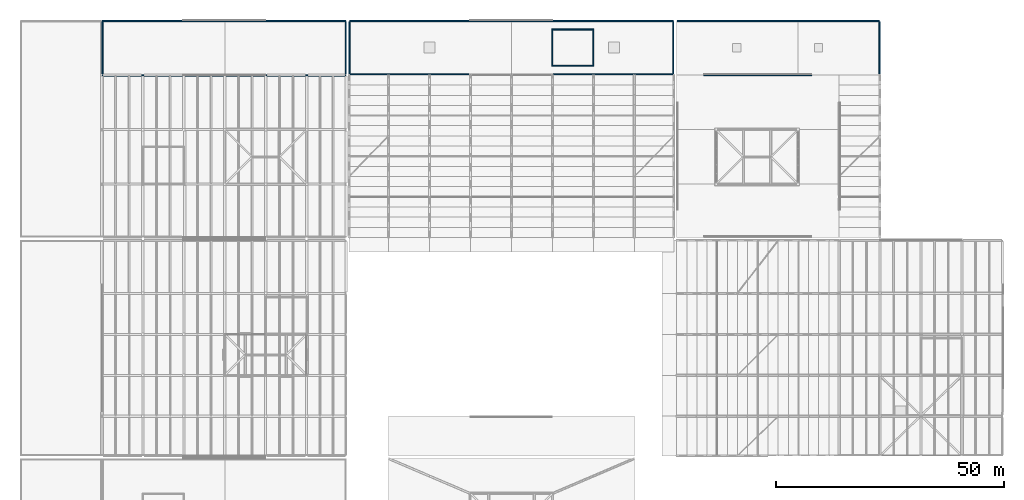
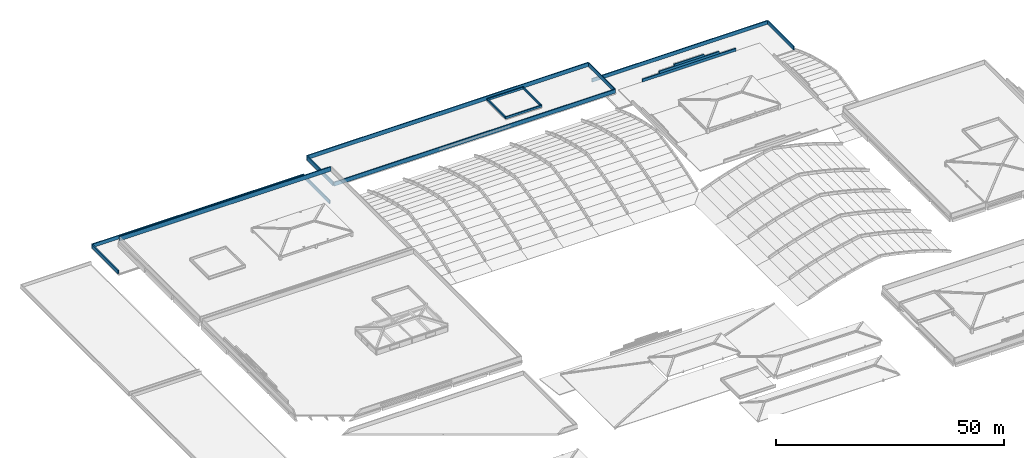
# One storey, part 55 of 56: 17 walls.
"""IFC4 building model written with IfcOpenShell, lengths in metres."""

import ifcopenshell
import ifcopenshell.guid

model = None  # the IFC model being written
_history = None  # IfcOwnerHistory: only IFC2X3 demands one
_inside = {}  # id of a spatial element -> (the spatial element, [elements in it])
_under = {}  # id of a project, library or spatial element -> (it, [spatial elements below it])
_declared = {}  # id of a project -> (the project, [libraries it declares])
_typed = {}  # id of a type object -> (the type object, [elements of that type])
_made_of = {}  # id of a material, layer set ... -> (it, [elements and type objects made of it])


def new_model(schema):
    """Start an empty IFC model of exactly this schema.

    Asked for "IFC4X3", IfcOpenShell would pick the latest addendum, in which some entities
    have other attributes; the version numbers below select the first issue.
    IFC2X3 requires an IfcOwnerHistory on every rooted entity: one is made here for all.
    """
    global model, _history
    if schema == "IFC4X3":
        model = ifcopenshell.file(schema_version=(4, 3, 0, 0))
    else:
        model = ifcopenshell.file(schema=schema)
    _inside.clear()
    _under.clear()
    _declared.clear()
    _typed.clear()
    _made_of.clear()
    _history = None
    if model.schema == "IFC2X3":
        org = make("IfcOrganization", Name="unknown")
        user = make(
            "IfcPersonAndOrganization",
            ThePerson=make("IfcPerson", FamilyName="unknown"),
            TheOrganization=org,
        )
        app = make(
            "IfcApplication",
            ApplicationDeveloper=org,
            Version="unknown",
            ApplicationFullName="unknown",
            ApplicationIdentifier="unknown",
        )
        _history = make(
            "IfcOwnerHistory",
            OwningUser=user,
            OwningApplication=app,
            ChangeAction="ADDED",
            CreationDate=0,
        )
    return model


def make(cls, **values):
    """One entity of the class cls with the attributes given. An attribute that is None is left unset."""
    return model.create_entity(
        cls, **{name: value for name, value in values.items() if value is not None}
    )


def rooted(cls, **values):
    """An entity with a GlobalId (a new one), such as an element, a storey or a relation."""
    return make(cls, GlobalId=ifcopenshell.guid.new(), OwnerHistory=_history, **values)


def si_unit(unit_type, name, prefix=None):
    """IfcSIUnit, for example si_unit("LENGTHUNIT", "METRE", prefix="MILLI")."""
    return make("IfcSIUnit", UnitType=unit_type, Prefix=prefix, Name=name)


def assignment(units):
    """IfcUnitAssignment: the units of a project."""
    return None if units is None else make("IfcUnitAssignment", Units=units)


def point(xyz):
    """IfcCartesianPoint."""
    return None if xyz is None else make("IfcCartesianPoint", Coordinates=xyz)


def direction(xyz):
    """IfcDirection."""
    return None if xyz is None else make("IfcDirection", DirectionRatios=xyz)


def frame(location, z_axis=None, x_axis=None):
    """IfcAxis2Placement3D, a coordinate frame: its origin and axes. An axis left out is left unset."""
    return make(
        "IfcAxis2Placement3D",
        Location=point(location),
        Axis=direction(z_axis),
        RefDirection=direction(x_axis),
    )


def frame_2d(location, x_axis=None):
    """IfcAxis2Placement2D, a coordinate frame in the plane: its origin and x axis."""
    return make(
        "IfcAxis2Placement2D", Location=point(location), RefDirection=direction(x_axis)
    )


def origin():
    """The frame at (0, 0, 0) with its axes left unset."""
    return frame((0.0, 0.0, 0.0))


def place(relative_to, where):
    """IfcLocalPlacement: puts the frame where relative to a parent placement (None: the world)."""
    return make(
        "IfcLocalPlacement", PlacementRelTo=relative_to, RelativePlacement=where
    )


def context(
    kind, dimensions, precision=None, world=None, true_north=None, identifier=None
):
    """IfcGeometricRepresentationContext, for example the 3D "Model" context."""
    return make(
        "IfcGeometricRepresentationContext",
        ContextIdentifier=identifier,
        ContextType=kind,
        CoordinateSpaceDimension=dimensions,
        Precision=precision,
        WorldCoordinateSystem=world,
        TrueNorth=true_north,
    )


def subcontext(parent, identifier, kind, view, scale=None):
    """IfcGeometricRepresentationSubContext, for example "Body" below "Model"."""
    return make(
        "IfcGeometricRepresentationSubContext",
        ContextIdentifier=identifier,
        ContextType=kind,
        ParentContext=parent,
        TargetScale=scale,
        TargetView=view,
    )


def project(units=None, contexts=None):
    """IfcProject with its units and contexts."""
    return rooted(
        "IfcProject",
        Name="project",
        RepresentationContexts=contexts,
        UnitsInContext=assignment(units),
    )


def spatial(cls, under=None, at=None, **own):
    """A site, building, storey or space (cls), placed at a placement, below another one or the project."""
    s = rooted(cls, ObjectPlacement=at, **own)
    if under is not None:
        _under.setdefault(under.id(), (under, []))[1].append(s)
    return s


def profile(cls, at=None, kind="AREA", **sizes):
    """A parametric profile (cls). Its sizes go by their IFC names, for example OverallWidth=200.0."""
    return make(cls, ProfileType=kind, Position=at, **sizes)


def rectangle(**sizes):
    """IfcRectangleProfileDef."""
    return profile("IfcRectangleProfileDef", **sizes)


def extrude(swept, where, along, depth):
    """IfcExtrudedAreaSolid: the profile swept, set in the frame where, extruded along a direction by depth."""
    return make(
        "IfcExtrudedAreaSolid",
        SweptArea=swept,
        Position=where,
        ExtrudedDirection=direction(along),
        Depth=depth,
    )


def shape(context_of_items, identifier, shape_type, items):
    """IfcShapeRepresentation: the items that make up one representation, for example the "Body"."""
    return make(
        "IfcShapeRepresentation",
        ContextOfItems=context_of_items,
        RepresentationIdentifier=identifier,
        RepresentationType=shape_type,
        Items=items,
    )


def material(Name=None, Category=None):
    """IfcMaterial."""
    return make("IfcMaterial", Name=Name, Category=Category)


def layer(
    of_material, thickness, ventilated=None, Name=None, Category=None, Priority=None
):
    """IfcMaterialLayer: one layer of a wall or slab, of a material (None: an air gap)."""
    return make(
        "IfcMaterialLayer",
        Material=of_material,
        LayerThickness=thickness,
        IsVentilated=ventilated,
        Name=Name,
        Category=Category,
        Priority=Priority,
    )


def layer_set(layers, Name=None):
    """IfcMaterialLayerSet."""
    return make("IfcMaterialLayerSet", MaterialLayers=layers, LayerSetName=Name)


def made_of(thing, what):
    """Note that an element or type object is made of a material, layer set ...; save() writes the relation."""
    if what is not None:
        _made_of.setdefault(what.id(), (what, []))[1].append(thing)
    return thing


def type_object(cls, material=None, **own):
    """A type object (cls), such as IfcWallType, which elements share."""
    return made_of(rooted(cls, **own), material)


def element(
    cls,
    number,
    at=None,
    inside=None,
    cuts=None,
    type_object=None,
    material=None,
    context=None,
    identifier="Body",
    shape_type=None,
    held_by="IfcProductDefinitionShape",
    body=None,
    shapes=None,
    **own,
):
    """One element of the class cls, such as IfcWall. Its Tag is "e" and its number.

    at: its placement. inside: the storey or other place that contains it. cuts: it is an
    opening in that element (IfcRelVoidsElement). A single representation is given by context,
    identifier, shape_type and body (its items); several are given by shapes. held_by: the class
    of the entity that holds the representations. save() writes the other relations.
    """
    e = rooted(cls, Tag="e%d" % number, ObjectPlacement=at, **own)
    if body is not None:
        shapes = [shape(context, identifier, shape_type, body)]
    if shapes is not None:
        e.Representation = make(held_by, Representations=shapes)
    if inside is not None:
        _inside.setdefault(inside.id(), (inside, []))[1].append(e)
    if cuts is not None:
        rooted(
            "IfcRelVoidsElement", RelatingBuildingElement=cuts, RelatedOpeningElement=e
        )
    if type_object is not None:
        _typed.setdefault(type_object.id(), (type_object, []))[1].append(e)
    return made_of(e, material)


def aggregate(whole, parts):
    """IfcRelAggregates: a whole, such as a stair, and the parts it consists of."""
    return rooted("IfcRelAggregates", RelatingObject=whole, RelatedObjects=parts)


def save(model, path):
    """Write the relations noted so far, then the file.

    IfcRelAggregates (storeys below a building ...), IfcRelContainedInSpatialStructure (elements
    in a storey), IfcRelDefinesByType, IfcRelAssociatesMaterial and IfcRelDeclares: one each for
    every whole, place, type object, material and project.
    """
    for whole, parts in _under.values():
        aggregate(whole, parts)
    for where, things in _inside.values():
        rooted(
            "IfcRelContainedInSpatialStructure",
            RelatedElements=things,
            RelatingStructure=where,
        )
    for kind, things in _typed.values():
        rooted("IfcRelDefinesByType", RelatedObjects=things, RelatingType=kind)
    for what, things in _made_of.values():
        rooted("IfcRelAssociatesMaterial", RelatedObjects=things, RelatingMaterial=what)
    for by, libraries in _declared.values():
        rooted("IfcRelDeclares", RelatingContext=by, RelatedDefinitions=libraries)
    model.write(path)


model = new_model("IFC4")

# Units and contexts
model_context = context("Model", 3, precision=1e-05, world=origin(), true_north=direction((0.0, 1.0)))
body_context = subcontext(model_context, "Body", "Model", "MODEL_VIEW")
ifc_project = project(units=[si_unit("LENGTHUNIT", "METRE"), si_unit("AREAUNIT", "SQUARE_METRE"), si_unit("VOLUMEUNIT", "CUBIC_METRE"), si_unit("PLANEANGLEUNIT", "RADIAN"), si_unit("MASSUNIT", "GRAM", prefix="KILO")], contexts=[model_context])

# Site, building, storey
site_placement = place(None, origin())
site = spatial("IfcSite", under=ifc_project, at=site_placement, CompositionType="ELEMENT")
building_placement = place(site_placement, origin())
building = spatial("IfcBuilding", under=site, at=building_placement, Name="Zacnel Wholesale Market", CompositionType="ELEMENT")
storey_placement = place(building_placement, frame((0.0, 0.0, 20.300048828125)))
storey = spatial("IfcBuildingStorey", under=building, at=storey_placement, Name="RF", CompositionType="ELEMENT", Elevation=20.300048828125)

# Walls
ifc_material_1 = material(Name="Concrete C40/50", Category="concrete")
ifc_layer_1 = layer(ifc_material_1, 0.25)
ifc_layer_set_1 = layer_set([ifc_layer_1], Name="Concrete C40/50")
wall_type_1 = type_object("IfcWallType", Name="WL-CORE-SW250", PredefinedType="SOLIDWALL", material=ifc_layer_set_1)
for number, where, z_axis, x_axis, name in (
    (1, (116.875, 134.0, -3.300048828125), (0.0, 0.0, 1.0), (1.0, 0.0, 0.0), "Core C6 Mayan-Deco bulkhead crown S"),
    (2, (116.875, 142.0, -3.300048828125), (0.0, 0.0, 1.0), (1.0, 0.0, 0.0), "Core C6 Mayan-Deco bulkhead crown N"),
):
    element("IfcWall", number, at=place(storey_placement, frame(where, z_axis=z_axis, x_axis=x_axis)), inside=storey, type_object=wall_type_1, Name=name, PredefinedType="SOLIDWALL", context=body_context, shape_type="SweptSolid", body=[
        extrude(rectangle(XDim=9.25, YDim=0.25, at=frame_2d((4.625, 0.0))), origin(), (0.0, 0.0, 1.0), 0.550048828125),
    ])
for number, where, z_axis, x_axis, name in (
    (3, (117.0, 134.125, -3.300048828125), (0.0, 0.0, 1.0), (0.0, 1.0, 0.0), "Core C6 Mayan-Deco bulkhead crown W"),
    (4, (126.0, 134.125, -3.300048828125), (0.0, 0.0, 1.0), (0.0, 1.0, 0.0), "Core C6 Mayan-Deco bulkhead crown E"),
):
    element("IfcWall", number, at=place(storey_placement, frame(where, z_axis=z_axis, x_axis=x_axis)), inside=storey, type_object=wall_type_1, Name=name, PredefinedType="SOLIDWALL", context=body_context, shape_type="SweptSolid", body=[
        extrude(rectangle(XDim=7.75, YDim=0.25, at=frame_2d((3.875, 0.0))), origin(), (0.0, 0.0, 1.0), 0.550048828125),
    ])
ifc_material_2 = material(Name="Precast concrete C40/50 (Cancun limestone aggregate)", Category="masonry")
ifc_layer_2 = layer(ifc_material_2, 0.25)
ifc_layer_set_2 = layer_set([ifc_layer_2], Name="Precast concrete C40/50 (Cancun limestone aggregate)")
wall_type_2 = type_object("IfcWallType", Name="WL-PAR-ZIG-250", PredefinedType="PARAPET", material=ifc_layer_set_2)
wall_1_placement = place(storey_placement, frame((150.300048828125, 132.0, -3.900146484375), z_axis=(0.0, 0.0, 1.0), x_axis=(1.0, 0.0, 0.0)))
element("IfcWall", 5, at=wall_1_placement, inside=storey, type_object=wall_type_2, Name="Mayan-Art-Deco stepped portal crown ENV-XDRUM-CRN-N-1", PredefinedType="PARAPET", context=body_context, shape_type="SweptSolid", body=[
    extrude(rectangle(XDim=23.699951171875, YDim=0.25, at=frame_2d((11.85009765625, 0.0))), origin(), (0.0, 0.0, 1.0), 0.75),
])
wall_2_placement = place(storey_placement, frame((154.56591796875, 132.0, -3.150146484375), z_axis=(0.0, 0.0, 1.0), x_axis=(1.0, 0.0, 0.0)))
element("IfcWall", 6, at=wall_2_placement, inside=storey, type_object=wall_type_2, Name="Mayan-Art-Deco stepped portal crown ENV-XDRUM-CRN-N-2", PredefinedType="PARAPET", context=body_context, shape_type="SweptSolid", body=[
    extrude(rectangle(XDim=15.16796875, YDim=0.25, at=frame_2d((7.583984375, 0.0))), origin(), (0.0, 0.0, 1.0), 0.650146484375),
])
wall_3_placement = place(storey_placement, frame((158.35791015625, 132.0, -2.5), z_axis=(0.0, 0.0, 1.0), x_axis=(1.0, 0.0, 0.0)))
element("IfcWall", 7, at=wall_3_placement, inside=storey, type_object=wall_type_2, Name="Mayan-Art-Deco stepped portal crown ENV-XDRUM-CRN-N-3", PredefinedType="PARAPET", context=body_context, shape_type="SweptSolid", body=[
    extrude(rectangle(XDim=7.583984375, YDim=0.25, at=frame_2d((3.7919921875, 0.0))), origin(), (0.0, 0.0, 1.0), 0.550048828125),
])
wall_4_placement = place(storey_placement, frame((18.125, 143.875, -9.10009765625), z_axis=(0.0, 0.0, 1.0), x_axis=(1.0, 0.0, 0.0)))
element("IfcWall", 8, at=wall_4_placement, inside=storey, type_object=wall_type_2, Name="Stepped ziggurat roof parapet 004-2", PredefinedType="PARAPET", context=body_context, shape_type="SweptSolid", body=[
    extrude(rectangle(XDim=53.449951171875, YDim=0.25, at=frame_2d((26.72509765625, 0.0))), origin(), (0.0, 0.0, 1.0), 0.949951171875),
])
for number, where, z_axis, x_axis, name in (
    (9, (18.125, 132.300048828125, -9.10009765625), (0.0, 0.0, 1.0), (0.0, 1.0, 0.0), "Stepped ziggurat roof parapet 004-3"),
    (10, (71.574951171875, 132.300048828125, -9.10009765625), (0.0, 0.0, 1.0), (0.0, 1.0, 0.0), "Stepped ziggurat roof parapet 004-4"),
):
    element("IfcWall", number, at=place(storey_placement, frame(where, z_axis=z_axis, x_axis=x_axis)), inside=storey, type_object=wall_type_2, Name=name, PredefinedType="PARAPET", context=body_context, shape_type="SweptSolid", body=[
        extrude(rectangle(XDim=11.39990234375, YDim=0.25, at=frame_2d((5.699951171875, 0.0))), origin(), (0.0, 0.0, 1.0), 0.949951171875),
    ])
wall_5_placement = place(storey_placement, frame((18.125, 131.875, 0.0), z_axis=(0.0, 0.0, 1.0), x_axis=(1.0, 0.0, 0.0)))
element("IfcWall", 11, at=wall_5_placement, inside=storey, type_object=wall_type_2, Name="Stepped ziggurat roof parapet 007-2", PredefinedType="PARAPET", context=body_context, shape_type="SweptSolid", body=[
    extrude(rectangle(XDim=53.449951171875, YDim=0.25, at=frame_2d((26.72509765625, 0.0))), origin(), (0.0, 0.0, 1.0), 1.14990234375),
])
for number, where, z_axis, x_axis, name in (
    (12, (72.425048828125, 132.125, -4.550048828125), (0.0, 0.0, 1.0), (1.0, 0.0, 0.0), "Stepped ziggurat roof parapet 009-1"),
    (13, (72.425048828125, 143.875, -4.550048828125), (0.0, 0.0, 1.0), (1.0, 0.0, 0.0), "Stepped ziggurat roof parapet 009-2"),
):
    element("IfcWall", number, at=place(storey_placement, frame(where, z_axis=z_axis, x_axis=x_axis)), inside=storey, type_object=wall_type_2, Name=name, PredefinedType="PARAPET", context=body_context, shape_type="SweptSolid", body=[
        extrude(rectangle(XDim=71.14990234375, YDim=0.25, at=frame_2d((35.574951171875, 0.0))), origin(), (0.0, 0.0, 1.0), 1.050048828125),
    ])
for number, where, z_axis, x_axis, name in (
    (14, (72.425048828125, 132.300048828125, -4.550048828125), (0.0, 0.0, 1.0), (0.0, 1.0, 0.0), "Stepped ziggurat roof parapet 009-3"),
    (15, (143.574951171875, 132.300048828125, -4.550048828125), (0.0, 0.0, 1.0), (0.0, 1.0, 0.0), "Stepped ziggurat roof parapet 009-4"),
):
    element("IfcWall", number, at=place(storey_placement, frame(where, z_axis=z_axis, x_axis=x_axis)), inside=storey, type_object=wall_type_2, Name=name, PredefinedType="PARAPET", context=body_context, shape_type="SweptSolid", body=[
        extrude(rectangle(XDim=11.39990234375, YDim=0.25, at=frame_2d((5.699951171875, 0.0))), origin(), (0.0, 0.0, 1.0), 1.050048828125),
    ])
wall_6_placement = place(storey_placement, frame((144.425048828125, 143.875, -9.10009765625), z_axis=(0.0, 0.0, 1.0), x_axis=(1.0, 0.0, 0.0)))
element("IfcWall", 16, at=wall_6_placement, inside=storey, type_object=wall_type_2, Name="Stepped ziggurat roof parapet 010-2", PredefinedType="PARAPET", context=body_context, shape_type="SweptSolid", body=[
    extrude(rectangle(XDim=44.449951171875, YDim=0.25, at=frame_2d((22.22509765625, 0.0))), origin(), (0.0, 0.0, 1.0), 0.949951171875),
])
wall_7_placement = place(storey_placement, frame((188.875, 132.300048828125, -9.10009765625), z_axis=(0.0, 0.0, 1.0), x_axis=(0.0, 1.0, 0.0)))
element("IfcWall", 17, at=wall_7_placement, inside=storey, type_object=wall_type_2, Name="Stepped ziggurat roof parapet 010-4", PredefinedType="PARAPET", context=body_context, shape_type="SweptSolid", body=[
    extrude(rectangle(XDim=11.39990234375, YDim=0.25, at=frame_2d((5.699951171875, 0.0))), origin(), (0.0, 0.0, 1.0), 0.949951171875),
])

save(model, "model.ifc")
